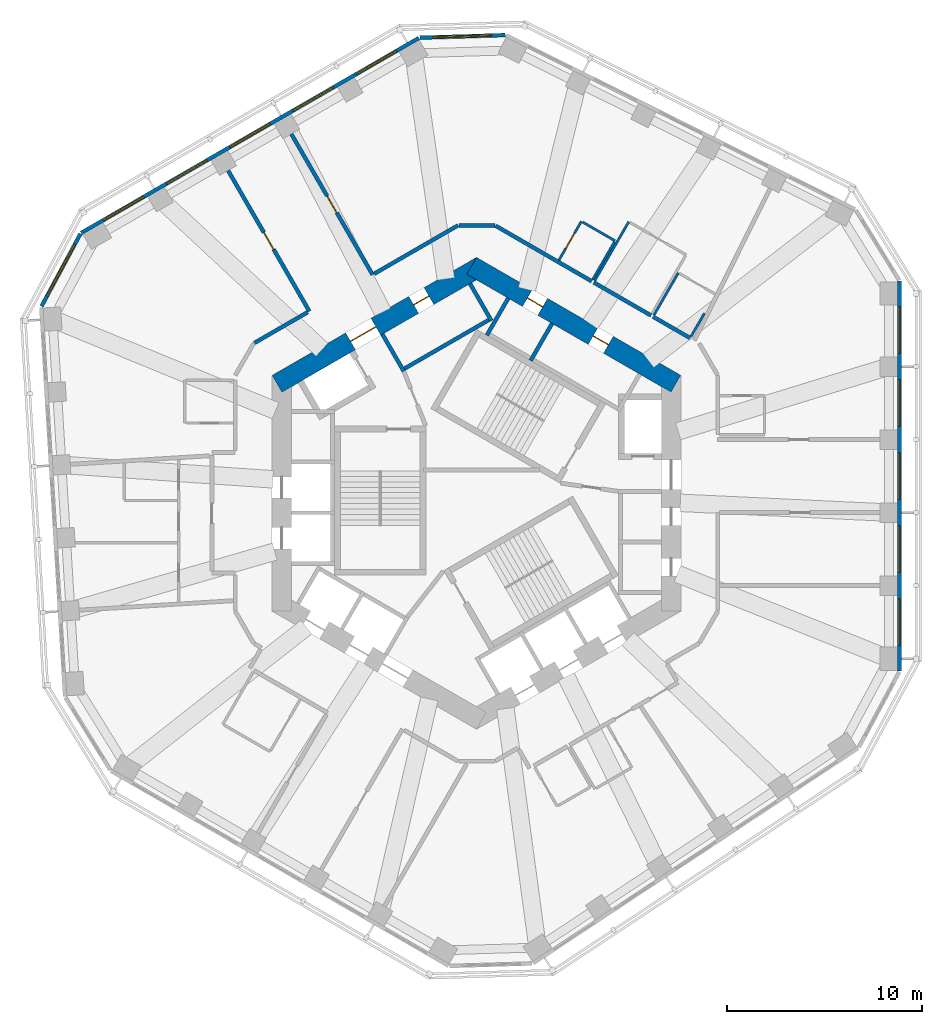
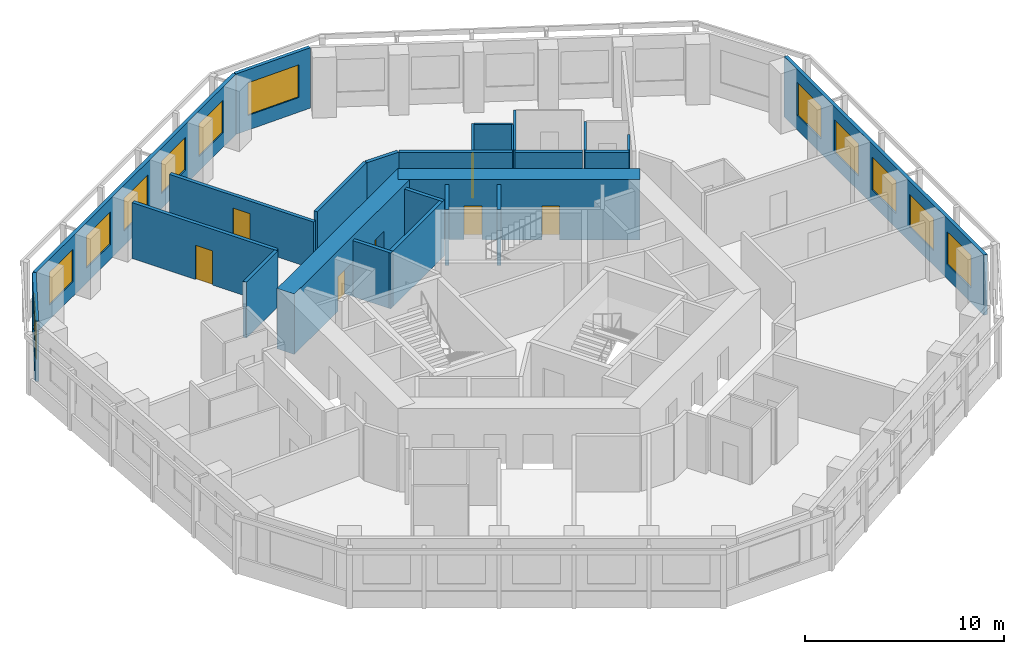
# One storey, part 7 of 11: 25 walls, 12 windows, 7 doors, 19 openings.
"""IFC4 building model written with IfcOpenShell, lengths in metres."""

from ifc_helpers import new_model, si_unit, direction, frame, frame_2d, origin, place, context, subcontext, project, spatial, rectangle, extrude, material, layer, layer_set, type_object, element, fill, save


model = new_model("IFC4")

# Units and contexts
model_context = context("Model", 3, precision=1e-05, world=origin(), true_north=direction((0.0, 1.0)))
body_context = subcontext(model_context, "Body", "Model", "MODEL_VIEW")
ifc_project = project(units=[si_unit("LENGTHUNIT", "METRE"), si_unit("AREAUNIT", "SQUARE_METRE"), si_unit("VOLUMEUNIT", "CUBIC_METRE"), si_unit("PLANEANGLEUNIT", "RADIAN"), si_unit("MASSUNIT", "GRAM", prefix="KILO")], contexts=[model_context])

# Site, building, storey
site_placement = place(None, origin())
site = spatial("IfcSite", under=ifc_project, at=site_placement, CompositionType="ELEMENT")
building_placement = place(site_placement, origin())
building = spatial("IfcBuilding", under=site, at=building_placement, Name="Vanh Sen Convention Tower", CompositionType="ELEMENT")
storey_placement = place(building_placement, frame((0.0, 0.0, 172.5)))
storey = spatial("IfcBuildingStorey", under=building, at=storey_placement, Name="L42", CompositionType="ELEMENT", Elevation=172.5)

# Wall, opening, door
ifc_material_1 = material(Name="Moisture-resistant gypsum board on steel studs", Category="steel")
ifc_layer_1 = layer(ifc_material_1, 0.1201171875)
ifc_layer_set_1 = layer_set([ifc_layer_1], Name="Moisture-resistant gypsum board on steel studs")
wall_type_1 = type_object("IfcWallType", Name="Bathroom partition 120", PredefinedType="PARTITIONING", material=ifc_layer_set_1)
wall_1_placement = place(storey_placement, frame((4.240234375, 11.985595703125, 0.0), z_axis=(0.0, 0.0, 1.0), x_axis=(0.499952165731, 0.866053019151, 0.0)))
wall_1 = element("IfcWall", 1, at=wall_1_placement, inside=storey, type_object=wall_type_1, Name="Bathroom partition 120", PredefinedType="PARTITIONING", context=body_context, shape_type="SweptSolid", body=[
    extrude(rectangle(XDim=2.300048828125, YDim=0.1201171875, at=frame_2d((1.14990234375, 0.0))), origin(), (0.0, 0.0, 1.0), 3.419921875),
])
opening_1_placement = place(wall_1_placement, frame((0.699951171875, 0.0, 0.0)))
opening_1 = element("IfcOpeningElement", 2, at=opening_1_placement, cuts=wall_1, Name="Opening D41106", PredefinedType="OPENING", context=body_context, shape_type="SweptSolid", body=[
    extrude(rectangle(XDim=0.89990234375, YDim=2.10009765625, at=frame_2d((0.449951171875, 1.050048828125))), frame((0.0, 0.070068359375, 0.0), z_axis=(0.0, -1.0, 0.0), x_axis=(1.0, 0.0, 0.0)), (0.0, 0.0, 1.0), 0.14013671875),
])
ifc_material_2 = material(Name="Laminate door in steel frame", Category="steel")
door_type_1 = type_object("IfcDoorType", Name="Room internal door 900", OperationType="SINGLE_SWING_LEFT", PredefinedType="DOOR", material=ifc_material_2)
door_1_placement = place(opening_1_placement, origin())
door_1 = element("IfcDoor", 3, at=door_1_placement, inside=storey, type_object=door_type_1, Name="Internal room door D41106", OperationType="SINGLE_SWING_LEFT", OverallHeight=2.10009765625, OverallWidth=0.89990234375, PredefinedType="DOOR", context=body_context, shape_type="SweptSolid", body=[
    extrude(rectangle(XDim=0.89990234375, YDim=2.10009765625, at=frame_2d((0.449951171875, 1.050048828125))), frame((0.0, 0.02490234375, 0.0), z_axis=(0.0, -1.0, 0.0), x_axis=(1.0, 0.0, 0.0)), (0.0, 0.0, 1.0), 0.050048828125),
])
fill(opening_1, door_1)

# Walls
wall_2_placement = place(storey_placement, frame((5.442138671875, 13.947509765625, 0.0), z_axis=(0.0, 0.0, 1.0), x_axis=(0.866043088465, -0.499969367985, 0.0)))
element("IfcWall", 4, at=wall_2_placement, inside=storey, type_object=wall_type_1, Name="Bathroom partition 120", PredefinedType="PARTITIONING", context=body_context, shape_type="SweptSolid", body=[
    extrude(rectangle(XDim=1.93994140625, YDim=0.1201171875, at=frame_2d((0.969970703125, 0.0))), origin(), (0.0, 0.0, 1.0), 3.419921875),
])
wall_3_placement = place(storey_placement, frame((6.076171875, 10.92578125, 0.0), z_axis=(0.0, 0.0, 1.0), x_axis=(0.500010275428, 0.866019471182, 0.0)))
element("IfcWall", 5, at=wall_3_placement, inside=storey, type_object=wall_type_1, Name="Bathroom partition 120", PredefinedType="PARTITIONING", context=body_context, shape_type="SweptSolid", body=[
    extrude(rectangle(XDim=3.5, YDim=0.1201171875, at=frame_2d((1.75, 0.0))), origin(), (0.0, 0.0, 1.0), 3.419921875),
])
wall_4_placement = place(storey_placement, frame((7.09228515625, 12.925537109375, 0.0), z_axis=(0.0, 0.0, 1.0), x_axis=(-0.500030632641, -0.866007717299, 0.0)))
element("IfcWall", 6, at=wall_4_placement, inside=storey, type_object=wall_type_1, Name="Bathroom partition 120", PredefinedType="PARTITIONING", context=body_context, shape_type="SweptSolid", body=[
    extrude(rectangle(XDim=2.239990234375, YDim=0.1201171875, at=frame_2d((1.1201171875, 0.0))), origin(), (0.0, 0.0, 1.0), 3.419921875),
])
wall_5_placement = place(storey_placement, frame((9.12451171875, 9.165771484375, 0.0), z_axis=(0.0, 0.0, 1.0), x_axis=(0.500004234368, 0.866022959057, 0.0)))
element("IfcWall", 7, at=wall_5_placement, inside=storey, type_object=wall_type_1, Name="Bathroom partition 120", PredefinedType="PARTITIONING", context=body_context, shape_type="SweptSolid", body=[
    extrude(rectangle(XDim=2.5, YDim=0.1201171875, at=frame_2d((1.25, 0.0))), origin(), (0.0, 0.0, 1.0), 3.419921875),
])
wall_6_placement = place(storey_placement, frame((11.7138671875, 9.25048828125, 0.0), z_axis=(0.0, 0.0, 1.0), x_axis=(-0.500015945769, -0.866016197294, 0.0)))
element("IfcWall", 8, at=wall_6_placement, inside=storey, type_object=wall_type_1, Name="Bathroom partition 120", PredefinedType="PARTITIONING", context=body_context, shape_type="SweptSolid", body=[
    extrude(rectangle(XDim=1.3681640625, YDim=0.1201171875, at=frame_2d((0.68408203125, 0.0))), origin(), (0.0, 0.0, 1.0), 3.419921875),
])

# Wall, openings, doors
ifc_material_3 = material(Name="Concrete C80/95", Category="concrete")
ifc_layer_2 = layer(ifc_material_3, 1.0)
ifc_layer_set_2 = layer_set([ifc_layer_2], Name="Concrete C80/95")
wall_type_2 = type_object("IfcWallType", Name="Core outer wall 1000 C80/95", PredefinedType="SHEAR", material=ifc_layer_set_2)
wall_7_placement = place(storey_placement, frame((10.25, 5.629150390625, 0.0), z_axis=(0.0, 0.0, 1.0), x_axis=(-0.866022616891, 0.50000482701, 0.0)))
wall_7 = element("IfcWall", 9, at=wall_7_placement, inside=storey, type_object=wall_type_2, Name="Core wall face NE L42", PredefinedType="SHEAR", context=body_context, shape_type="SweptSolid", body=[
    extrude(rectangle(XDim=12.12451171875, YDim=1.0, at=frame_2d((6.062255859375, 0.0))), origin(), (0.0, 0.0, 1.0), 3.699951171875),
])
opening_2_placement = place(wall_7_placement, frame((4.01220703125, 0.0, 0.0)))
opening_2 = element("IfcOpeningElement", 10, at=opening_2_placement, cuts=wall_7, Name="Opening D41011", PredefinedType="OPENING", context=body_context, shape_type="SweptSolid", body=[
    extrude(rectangle(XDim=0.89990234375, YDim=2.10009765625, at=frame_2d((0.449951171875, 1.050048828125))), frame((0.0, 0.510009765625, 0.0), z_axis=(0.0, -1.0, 0.0), x_axis=(1.0, 0.0, 0.0)), (0.0, 0.0, 1.0), 1.02001953125),
])
opening_3_placement = place(wall_7_placement, frame((7.912109375, 0.0, 0.0)))
opening_3 = element("IfcOpeningElement", 11, at=opening_3_placement, cuts=wall_7, Name="Opening D41012", PredefinedType="OPENING", context=body_context, shape_type="SweptSolid", body=[
    extrude(rectangle(XDim=0.89990234375, YDim=2.10009765625, at=frame_2d((0.449951171875, 1.050048828125))), frame((0.0, 0.510009765625, 0.0), z_axis=(0.0, -1.0, 0.0), x_axis=(1.0, 0.0, 0.0)), (0.0, 0.0, 1.0), 1.02001953125),
])
ifc_material_4 = material(Name="Steel S355", Category="steel")
door_type_2 = type_object("IfcDoorType", Name="Plant door 900", OperationType="SINGLE_SWING_LEFT", PredefinedType="DOOR", material=ifc_material_4)
door_2_placement = place(opening_2_placement, origin())
door_2 = element("IfcDoor", 12, at=door_2_placement, inside=storey, type_object=door_type_2, Name="Plant door D41011", OperationType="SINGLE_SWING_LEFT", OverallHeight=2.10009765625, OverallWidth=0.89990234375, PredefinedType="DOOR", context=body_context, shape_type="SweptSolid", body=[
    extrude(rectangle(XDim=0.89990234375, YDim=2.10009765625, at=frame_2d((0.449951171875, 1.050048828125))), frame((0.0, 0.02490234375, 0.0), z_axis=(0.0, -1.0, 0.0), x_axis=(1.0, 0.0, 0.0)), (0.0, 0.0, 1.0), 0.050048828125),
])
fill(opening_2, door_2)
door_3_placement = place(opening_3_placement, origin())
door_3 = element("IfcDoor", 13, at=door_3_placement, inside=storey, type_object=door_type_2, Name="Plant door D41012", OperationType="SINGLE_SWING_LEFT", OverallHeight=2.10009765625, OverallWidth=0.89990234375, PredefinedType="DOOR", context=body_context, shape_type="SweptSolid", body=[
    extrude(rectangle(XDim=0.89990234375, YDim=2.10009765625, at=frame_2d((0.449951171875, 1.050048828125))), frame((0.0, 0.02490234375, 0.0), z_axis=(0.0, -1.0, 0.0), x_axis=(1.0, 0.0, 0.0)), (0.0, 0.0, 1.0), 0.050048828125),
])
fill(opening_3, door_3)

wall_8_placement = place(storey_placement, frame((0.25, 11.69140625, 0.0), z_axis=(0.0, 0.0, 1.0), x_axis=(-0.866022616891, -0.50000482701, 0.0)))
wall_8 = element("IfcWall", 14, at=wall_8_placement, inside=storey, type_object=wall_type_2, Name="Core wall face NW L42", PredefinedType="SHEAR", context=body_context, shape_type="SweptSolid", body=[
    extrude(rectangle(XDim=12.12451171875, YDim=1.0, at=frame_2d((6.062255859375, 0.0))), origin(), (0.0, 0.0, 1.0), 3.699951171875),
])
opening_4_placement = place(wall_8_placement, frame((6.26220703125, 0.0, 0.0)))
opening_4 = element("IfcOpeningElement", 15, at=opening_4_placement, cuts=wall_8, Name="Opening D41002", PredefinedType="OPENING", context=body_context, shape_type="SweptSolid", body=[
    extrude(rectangle(XDim=1.5, YDim=2.10009765625, at=frame_2d((0.75, 1.050048828125))), frame((0.0, 0.510009765625, 0.0), z_axis=(0.0, -1.0, 0.0), x_axis=(1.0, 0.0, 0.0)), (0.0, 0.0, 1.0), 1.02001953125),
])
opening_5_placement = place(wall_8_placement, frame((3.1123046875, 0.0, 0.0)))
opening_5 = element("IfcOpeningElement", 16, at=opening_5_placement, cuts=wall_8, Name="Opening D41013", PredefinedType="OPENING", context=body_context, shape_type="SweptSolid", body=[
    extrude(rectangle(XDim=0.89990234375, YDim=2.10009765625, at=frame_2d((0.449951171875, 1.050048828125))), frame((0.0, 0.510009765625, 0.0), z_axis=(0.0, -1.0, 0.0), x_axis=(1.0, 0.0, 0.0)), (0.0, 0.0, 1.0), 1.02001953125),
])
door_4_placement = place(opening_5_placement, origin())
door_4 = element("IfcDoor", 17, at=door_4_placement, inside=storey, type_object=door_type_2, Name="Plant door D41013", OperationType="SINGLE_SWING_LEFT", OverallHeight=2.10009765625, OverallWidth=0.89990234375, PredefinedType="DOOR", context=body_context, shape_type="SweptSolid", body=[
    extrude(rectangle(XDim=0.89990234375, YDim=2.10009765625, at=frame_2d((0.449951171875, 1.050048828125))), frame((0.0, 0.02490234375, 0.0), z_axis=(0.0, -1.0, 0.0), x_axis=(1.0, 0.0, 0.0)), (0.0, 0.0, 1.0), 0.050048828125),
])
fill(opening_5, door_4)
door_type_3 = type_object("IfcDoorType", Name="Stair lobby door 1500", OperationType="DOUBLE_DOOR_SINGLE_SWING", PredefinedType="DOOR", material=ifc_material_4)
door_5_placement = place(opening_4_placement, origin())
door_5 = element("IfcDoor", 18, at=door_5_placement, inside=storey, type_object=door_type_3, Name="Stair lobby door D41002", OperationType="DOUBLE_DOOR_SINGLE_SWING", OverallHeight=2.10009765625, OverallWidth=1.5, PredefinedType="DOOR", context=body_context, shape_type="SweptSolid", body=[
    extrude(rectangle(XDim=1.5, YDim=2.10009765625, at=frame_2d((0.75, 1.050048828125))), frame((0.0, 0.02490234375, 0.0), z_axis=(0.0, -1.0, 0.0), x_axis=(1.0, 0.0, 0.0)), (0.0, 0.0, 1.0), 0.050048828125),
])
fill(opening_4, door_5)

# Wall, opening, door
ifc_material_5 = material(Name="Gypsum board on steel studs with mineral wool", Category="steel")
ifc_layer_3 = layer(ifc_material_5, 0.199951171875)
ifc_layer_set_3 = layer_set([ifc_layer_3], Name="Gypsum board on steel studs with mineral wool")
wall_type_3 = type_object("IfcWallType", Name="Corridor partition wall 200", PredefinedType="PARTITIONING", material=ifc_layer_set_3)
wall_9_placement = place(storey_placement, frame((-12.766357421875, 16.58935546875, 0.0), z_axis=(0.0, 0.0, 1.0), x_axis=(0.500010139422, -0.866019549707, 0.0)))
wall_9 = element("IfcWall", 19, at=wall_9_placement, inside=storey, type_object=wall_type_3, Name="Corridor partition wall 200", PredefinedType="PARTITIONING", context=body_context, shape_type="SweptSolid", body=[
    extrude(rectangle(XDim=8.349853515625, YDim=0.199951171875, at=frame_2d((4.1748046875, 0.0))), origin(), (0.0, 0.0, 1.0), 3.419921875),
])
opening_6_placement = place(wall_9_placement, frame((3.675048828125, 0.0, 0.0)))
opening_6 = element("IfcOpeningElement", 20, at=opening_6_placement, cuts=wall_9, Name="Opening D41107", PredefinedType="OPENING", context=body_context, shape_type="SweptSolid", body=[
    extrude(rectangle(XDim=1.0, YDim=2.10009765625, at=frame_2d((0.5, 1.050048828125))), frame((0.0, 0.10986328125, 0.0), z_axis=(0.0, -1.0, 0.0), x_axis=(1.0, 0.0, 0.0)), (0.0, 0.0, 1.0), 0.219970703125),
])
ifc_material_6 = material(Name="Glazed fire door in steel frame", Category="steel")
door_type_4 = type_object("IfcDoorType", Name="Tenant entrance door 1000", OperationType="SINGLE_SWING_LEFT", PredefinedType="DOOR", material=ifc_material_6)
door_6_placement = place(opening_6_placement, origin())
door_6 = element("IfcDoor", 21, at=door_6_placement, inside=storey, type_object=door_type_4, Name="Tenant suite entrance door D41107", OperationType="SINGLE_SWING_LEFT", OverallHeight=2.10009765625, OverallWidth=1.0, PredefinedType="DOOR", context=body_context, shape_type="SweptSolid", body=[
    extrude(rectangle(XDim=1.0, YDim=2.10009765625, at=frame_2d((0.5, 1.050048828125))), frame((0.0, 0.02490234375, 0.0), z_axis=(0.0, -1.0, 0.0), x_axis=(1.0, 0.0, 0.0)), (0.0, 0.0, 1.0), 0.050048828125),
])
fill(opening_6, door_6)

wall_10_placement = place(storey_placement, frame((-9.51513671875, 18.46630859375, 0.0), z_axis=(0.0, 0.0, 1.0), x_axis=(0.500010139422, -0.866019549707, 0.0)))
wall_10 = element("IfcWall", 22, at=wall_10_placement, inside=storey, type_object=wall_type_3, Name="Corridor partition wall 200", PredefinedType="PARTITIONING", context=body_context, shape_type="SweptSolid", body=[
    extrude(rectangle(XDim=8.349853515625, YDim=0.199951171875, at=frame_2d((4.1748046875, 0.0))), origin(), (0.0, 0.0, 1.0), 2.8701171875),
])
opening_7_placement = place(wall_10_placement, frame((3.675048828125, 0.0, 0.0)))
opening_7 = element("IfcOpeningElement", 23, at=opening_7_placement, cuts=wall_10, Name="Opening D41103", PredefinedType="OPENING", context=body_context, shape_type="SweptSolid", body=[
    extrude(rectangle(XDim=1.0, YDim=2.10009765625, at=frame_2d((0.5, 1.050048828125))), frame((0.0, 0.10986328125, 0.0), z_axis=(0.0, -1.0, 0.0), x_axis=(1.0, 0.0, 0.0)), (0.0, 0.0, 1.0), 0.219970703125),
])
door_7_placement = place(opening_7_placement, origin())
door_7 = element("IfcDoor", 24, at=door_7_placement, inside=storey, type_object=door_type_4, Name="Tenant suite entrance door D41103", OperationType="SINGLE_SWING_LEFT", OverallHeight=2.10009765625, OverallWidth=1.0, PredefinedType="DOOR", context=body_context, shape_type="SweptSolid", body=[
    extrude(rectangle(XDim=1.0, YDim=2.10009765625, at=frame_2d((0.5, 1.050048828125))), frame((0.0, 0.02490234375, 0.0), z_axis=(0.0, -1.0, 0.0), x_axis=(1.0, 0.0, 0.0)), (0.0, 0.0, 1.0), 0.050048828125),
])
fill(opening_7, door_7)

# Walls
wall_11_placement = place(storey_placement, frame((-8.677978515625, 9.30810546875, 0.0), z_axis=(0.0, 0.0, 1.0), x_axis=(-0.866000359435, -0.500043375578, 0.0)))
element("IfcWall", 25, at=wall_11_placement, inside=storey, type_object=wall_type_3, Name="Corridor partition wall 200", PredefinedType="PARTITIONING", context=body_context, shape_type="SweptSolid", body=[
    extrude(rectangle(XDim=3.160888671875, YDim=0.199951171875, at=frame_2d((1.58056640625, 0.0))), origin(), (0.0, 0.0, 1.0), 3.419921875),
])
wall_12_placement = place(storey_placement, frame((-0.949951171875, 13.769775390625, 0.0), z_axis=(0.0, 0.0, 1.0), x_axis=(-0.866036689987, -0.499980451214, 0.0)))
element("IfcWall", 26, at=wall_12_placement, inside=storey, type_object=wall_type_3, Name="Corridor partition wall 200", PredefinedType="PARTITIONING", context=body_context, shape_type="SweptSolid", body=[
    extrude(rectangle(XDim=4.969482421875, YDim=0.199951171875, at=frame_2d((2.48486328125, 0.0))), origin(), (0.0, 0.0, 1.0), 3.419921875),
])
wall_13_placement = place(storey_placement, frame((0.949951171875, 13.769775390625, 0.0), z_axis=(0.0, 0.0, 1.0), x_axis=(-1.0, 0.0, 0.0)))
element("IfcWall", 27, at=wall_13_placement, inside=storey, type_object=wall_type_3, Name="Corridor partition wall 200", PredefinedType="PARTITIONING", context=body_context, shape_type="SweptSolid", body=[
    extrude(rectangle(XDim=1.85986328125, YDim=0.199951171875, at=frame_2d((0.929931640625, 0.0))), origin(), (0.0, 0.0, 1.0), 3.419921875),
])
wall_14_placement = place(storey_placement, frame((5.922119140625, 10.899169921875, 0.0), z_axis=(0.0, 0.0, 1.0), x_axis=(-0.866031556924, 0.499989342298, 0.0)))
element("IfcWall", 28, at=wall_14_placement, inside=storey, type_object=wall_type_3, Name="Corridor partition wall 200", PredefinedType="PARTITIONING", context=body_context, shape_type="SweptSolid", body=[
    extrude(rectangle(XDim=5.701171875, YDim=0.199951171875, at=frame_2d((2.8505859375, 0.0))), origin(), (0.0, 0.0, 1.0), 3.419921875),
])
wall_15_placement = place(storey_placement, frame((8.970703125, 9.13916015625, 0.0), z_axis=(0.0, 0.0, 1.0), x_axis=(-0.866038511948, 0.499977295307, 0.0)))
element("IfcWall", 29, at=wall_15_placement, inside=storey, type_object=wall_type_3, Name="Corridor partition wall 200", PredefinedType="PARTITIONING", context=body_context, shape_type="SweptSolid", body=[
    extrude(rectangle(XDim=3.400146484375, YDim=0.199951171875, at=frame_2d((1.7001953125, 0.0))), origin(), (0.0, 0.0, 1.0), 3.419921875),
])
wall_16_placement = place(storey_placement, frame((10.979736328125, 7.97900390625, 0.0), z_axis=(0.0, 0.0, 1.0), x_axis=(-0.866008176907, 0.50002983664, 0.0)))
element("IfcWall", 30, at=wall_16_placement, inside=storey, type_object=wall_type_3, Name="Corridor partition wall 200", PredefinedType="PARTITIONING", context=body_context, shape_type="SweptSolid", body=[
    extrude(rectangle(XDim=2.199951171875, YDim=0.199951171875, at=frame_2d((1.10009765625, 0.0))), origin(), (0.0, 0.0, 1.0), 3.419921875),
])

# Wall, openings, windows
ifc_material_7 = material(Name="Insulated lightweight infill wall")
ifc_layer_4 = layer(ifc_material_7, 0.199951171875)
ifc_layer_set_4 = layer_set([ifc_layer_4], Name="Insulated lightweight infill wall")
wall_type_4 = type_object("IfcWallType", Name="External wall 200", PredefinedType="STANDARD", material=ifc_layer_set_4)
wall_17_placement = place(storey_placement, frame((21.75, -9.138427734375, 0.0), z_axis=(0.0, 0.0, 1.0), x_axis=(0.0, 1.0, 0.0)))
wall_17 = element("IfcWall", 31, at=wall_17_placement, inside=storey, type_object=wall_type_4, Name="External wall E L42", PredefinedType="STANDARD", context=body_context, shape_type="SweptSolid", body=[
    extrude(rectangle(XDim=20.043701171875, YDim=0.199951171875, at=frame_2d((10.02197265625, 0.0))), origin(), (0.0, 0.0, 1.0), 3.699951171875),
])
opening_8_placement = place(wall_17_placement, frame((1.314453125, 0.0, 0.89990234375)))
opening_8 = element("IfcOpeningElement", 32, at=opening_8_placement, cuts=wall_17, Name="Opening WO1-E1", PredefinedType="OPENING", context=body_context, shape_type="SweptSolid", body=[
    extrude(rectangle(XDim=2.39990234375, YDim=2.0, at=frame_2d((1.199951171875, 1.0))), frame((0.0, 0.10986328125, 0.0), z_axis=(0.0, -1.0, 0.0), x_axis=(1.0, 0.0, 0.0)), (0.0, 0.0, 1.0), 0.219970703125),
])
opening_9_placement = place(wall_17_placement, frame((5.068603515625, 0.0, 0.89990234375)))
opening_9 = element("IfcOpeningElement", 33, at=opening_9_placement, cuts=wall_17, Name="Opening WO1-E2", PredefinedType="OPENING", context=body_context, shape_type="SweptSolid", body=[
    extrude(rectangle(XDim=2.39990234375, YDim=2.0, at=frame_2d((1.199951171875, 1.0))), frame((0.0, 0.10986328125, 0.0), z_axis=(0.0, -1.0, 0.0), x_axis=(1.0, 0.0, 0.0)), (0.0, 0.0, 1.0), 0.219970703125),
])
opening_10_placement = place(wall_17_placement, frame((8.82275390625, 0.0, 0.89990234375)))
opening_10 = element("IfcOpeningElement", 34, at=opening_10_placement, cuts=wall_17, Name="Opening WO1-E3", PredefinedType="OPENING", context=body_context, shape_type="SweptSolid", body=[
    extrude(rectangle(XDim=2.39990234375, YDim=2.0, at=frame_2d((1.199951171875, 1.0))), frame((0.0, 0.10986328125, 0.0), z_axis=(0.0, -1.0, 0.0), x_axis=(1.0, 0.0, 0.0)), (0.0, 0.0, 1.0), 0.219970703125),
])
opening_11_placement = place(wall_17_placement, frame((12.576904296875, 0.0, 0.89990234375)))
opening_11 = element("IfcOpeningElement", 35, at=opening_11_placement, cuts=wall_17, Name="Opening WO1-E4", PredefinedType="OPENING", context=body_context, shape_type="SweptSolid", body=[
    extrude(rectangle(XDim=2.39990234375, YDim=2.0, at=frame_2d((1.199951171875, 1.0))), frame((0.0, 0.10986328125, 0.0), z_axis=(0.0, -1.0, 0.0), x_axis=(1.0, 0.0, 0.0)), (0.0, 0.0, 1.0), 0.219970703125),
])
opening_12_placement = place(wall_17_placement, frame((16.330810546875, 0.0, 0.89990234375)))
opening_12 = element("IfcOpeningElement", 36, at=opening_12_placement, cuts=wall_17, Name="Opening WO1-E5", PredefinedType="OPENING", context=body_context, shape_type="SweptSolid", body=[
    extrude(rectangle(XDim=2.39990234375, YDim=2.0, at=frame_2d((1.199951171875, 1.0))), frame((0.0, 0.10986328125, 0.0), z_axis=(0.0, -1.0, 0.0), x_axis=(1.0, 0.0, 0.0)), (0.0, 0.0, 1.0), 0.219970703125),
])
ifc_material_8 = material(Name="Aluminium frame with clear low-emissivity glass", Category="aluminium")
window_type_1 = type_object("IfcWindowType", Name="Office window 2400 x 2000", PartitioningType="SINGLE_PANEL", PredefinedType="WINDOW", material=ifc_material_8)
window_1_placement = place(opening_8_placement, origin())
window_1 = element("IfcWindow", 37, at=window_1_placement, inside=storey, type_object=window_type_1, Name="Window WO1-E1", OverallHeight=2.0, OverallWidth=2.39990234375, PartitioningType="SINGLE_PANEL", PredefinedType="WINDOW", context=body_context, shape_type="SweptSolid", body=[
    extrude(rectangle(XDim=2.39990234375, YDim=2.0, at=frame_2d((1.199951171875, 1.0))), frame((0.0, 0.030029296875, 0.0), z_axis=(0.0, -1.0, 0.0), x_axis=(1.0, 0.0, 0.0)), (0.0, 0.0, 1.0), 0.06005859375),
])
fill(opening_8, window_1)
window_2_placement = place(opening_9_placement, origin())
window_2 = element("IfcWindow", 38, at=window_2_placement, inside=storey, type_object=window_type_1, Name="Window WO1-E2", OverallHeight=2.0, OverallWidth=2.39990234375, PartitioningType="SINGLE_PANEL", PredefinedType="WINDOW", context=body_context, shape_type="SweptSolid", body=[
    extrude(rectangle(XDim=2.39990234375, YDim=2.0, at=frame_2d((1.199951171875, 1.0))), frame((0.0, 0.030029296875, 0.0), z_axis=(0.0, -1.0, 0.0), x_axis=(1.0, 0.0, 0.0)), (0.0, 0.0, 1.0), 0.06005859375),
])
fill(opening_9, window_2)
window_3_placement = place(opening_10_placement, origin())
window_3 = element("IfcWindow", 39, at=window_3_placement, inside=storey, type_object=window_type_1, Name="Window WO1-E3", OverallHeight=2.0, OverallWidth=2.39990234375, PartitioningType="SINGLE_PANEL", PredefinedType="WINDOW", context=body_context, shape_type="SweptSolid", body=[
    extrude(rectangle(XDim=2.39990234375, YDim=2.0, at=frame_2d((1.199951171875, 1.0))), frame((0.0, 0.030029296875, 0.0), z_axis=(0.0, -1.0, 0.0), x_axis=(1.0, 0.0, 0.0)), (0.0, 0.0, 1.0), 0.06005859375),
])
fill(opening_10, window_3)
window_4_placement = place(opening_11_placement, origin())
window_4 = element("IfcWindow", 40, at=window_4_placement, inside=storey, type_object=window_type_1, Name="Window WO1-E4", OverallHeight=2.0, OverallWidth=2.39990234375, PartitioningType="SINGLE_PANEL", PredefinedType="WINDOW", context=body_context, shape_type="SweptSolid", body=[
    extrude(rectangle(XDim=2.39990234375, YDim=2.0, at=frame_2d((1.199951171875, 1.0))), frame((0.0, 0.030029296875, 0.0), z_axis=(0.0, -1.0, 0.0), x_axis=(1.0, 0.0, 0.0)), (0.0, 0.0, 1.0), 0.06005859375),
])
fill(opening_11, window_4)
window_5_placement = place(opening_12_placement, origin())
window_5 = element("IfcWindow", 41, at=window_5_placement, inside=storey, type_object=window_type_1, Name="Window WO1-E5", OverallHeight=2.0, OverallWidth=2.39990234375, PartitioningType="SINGLE_PANEL", PredefinedType="WINDOW", context=body_context, shape_type="SweptSolid", body=[
    extrude(rectangle(XDim=2.39990234375, YDim=2.0, at=frame_2d((1.199951171875, 1.0))), frame((0.0, 0.030029296875, 0.0), z_axis=(0.0, -1.0, 0.0), x_axis=(1.0, 0.0, 0.0)), (0.0, 0.0, 1.0), 0.06005859375),
])
fill(opening_12, window_5)

# Wall, opening, window
wall_18_placement = place(storey_placement, frame((1.478759765625, 23.552734375, 0.0), z_axis=(0.0, 0.0, 1.0), x_axis=(-0.999534786117, -0.03049936625, 0.0)))
wall_18 = element("IfcWall", 42, at=wall_18_placement, inside=storey, type_object=wall_type_4, Name="External wall CH2 L42", PredefinedType="STANDARD", context=body_context, shape_type="SweptSolid", body=[
    extrude(rectangle(XDim=4.39453125, YDim=0.199951171875, at=frame_2d((2.197265625, 0.0))), origin(), (0.0, 0.0, 1.0), 3.699951171875),
])
opening_13_placement = place(wall_18_placement, frame((0.697509765625, 0.0, 0.89990234375)))
opening_13 = element("IfcOpeningElement", 43, at=opening_13_placement, cuts=wall_18, Name="Opening WO2-CH21", PredefinedType="OPENING", context=body_context, shape_type="SweptSolid", body=[
    extrude(rectangle(XDim=3.0, YDim=2.0, at=frame_2d((1.5, 1.0))), frame((0.0, 0.10986328125, 0.0), z_axis=(0.0, -1.0, 0.0), x_axis=(1.0, 0.0, 0.0)), (0.0, 0.0, 1.0), 0.219970703125),
])
window_type_2 = type_object("IfcWindowType", Name="Office window 3000 x 2000", PartitioningType="SINGLE_PANEL", PredefinedType="WINDOW", material=ifc_material_8)
window_6_placement = place(opening_13_placement, origin())
window_6 = element("IfcWindow", 44, at=window_6_placement, inside=storey, type_object=window_type_2, Name="Window WO2-CH21", OverallHeight=2.0, OverallWidth=3.0, PartitioningType="SINGLE_PANEL", PredefinedType="WINDOW", context=body_context, shape_type="SweptSolid", body=[
    extrude(rectangle(XDim=3.0, YDim=2.0, at=frame_2d((1.5, 1.0))), frame((0.0, 0.030029296875, 0.0), z_axis=(0.0, -1.0, 0.0), x_axis=(1.0, 0.0, 0.0)), (0.0, 0.0, 1.0), 0.06005859375),
])
fill(opening_13, window_6)

# Wall, openings, windows
wall_19_placement = place(storey_placement, frame((-2.9609375, 23.4052734375, 0.0), z_axis=(0.0, 0.0, 1.0), x_axis=(-0.866023315909, -0.500003616288, 0.0)))
wall_19 = element("IfcWall", 45, at=wall_19_placement, inside=storey, type_object=wall_type_4, Name="External wall NW L42", PredefinedType="STANDARD", context=body_context, shape_type="SweptSolid", body=[
    extrude(rectangle(XDim=20.043701171875, YDim=0.199951171875, at=frame_2d((10.02197265625, 0.0))), origin(), (0.0, 0.0, 1.0), 3.699951171875),
])
opening_14_placement = place(wall_19_placement, frame((1.314453125, 0.0, 0.89990234375)))
opening_14 = element("IfcOpeningElement", 46, at=opening_14_placement, cuts=wall_19, Name="Opening WO1-NW1", PredefinedType="OPENING", context=body_context, shape_type="SweptSolid", body=[
    extrude(rectangle(XDim=2.39990234375, YDim=2.0, at=frame_2d((1.199951171875, 1.0))), frame((0.0, 0.10986328125, 0.0), z_axis=(0.0, -1.0, 0.0), x_axis=(1.0, 0.0, 0.0)), (0.0, 0.0, 1.0), 0.219970703125),
])
opening_15_placement = place(wall_19_placement, frame((5.068603515625, 0.0, 0.89990234375)))
opening_15 = element("IfcOpeningElement", 47, at=opening_15_placement, cuts=wall_19, Name="Opening WO1-NW2", PredefinedType="OPENING", context=body_context, shape_type="SweptSolid", body=[
    extrude(rectangle(XDim=2.39990234375, YDim=2.0, at=frame_2d((1.199951171875, 1.0))), frame((0.0, 0.10986328125, 0.0), z_axis=(0.0, -1.0, 0.0), x_axis=(1.0, 0.0, 0.0)), (0.0, 0.0, 1.0), 0.219970703125),
])
opening_16_placement = place(wall_19_placement, frame((8.82275390625, 0.0, 0.89990234375)))
opening_16 = element("IfcOpeningElement", 48, at=opening_16_placement, cuts=wall_19, Name="Opening WO1-NW3", PredefinedType="OPENING", context=body_context, shape_type="SweptSolid", body=[
    extrude(rectangle(XDim=2.39990234375, YDim=2.0, at=frame_2d((1.199951171875, 1.0))), frame((0.0, 0.10986328125, 0.0), z_axis=(0.0, -1.0, 0.0), x_axis=(1.0, 0.0, 0.0)), (0.0, 0.0, 1.0), 0.219970703125),
])
opening_17_placement = place(wall_19_placement, frame((12.576904296875, 0.0, 0.89990234375)))
opening_17 = element("IfcOpeningElement", 49, at=opening_17_placement, cuts=wall_19, Name="Opening WO1-NW4", PredefinedType="OPENING", context=body_context, shape_type="SweptSolid", body=[
    extrude(rectangle(XDim=2.39990234375, YDim=2.0, at=frame_2d((1.199951171875, 1.0))), frame((0.0, 0.10986328125, 0.0), z_axis=(0.0, -1.0, 0.0), x_axis=(1.0, 0.0, 0.0)), (0.0, 0.0, 1.0), 0.219970703125),
])
opening_18_placement = place(wall_19_placement, frame((16.330810546875, 0.0, 0.89990234375)))
opening_18 = element("IfcOpeningElement", 50, at=opening_18_placement, cuts=wall_19, Name="Opening WO1-NW5", PredefinedType="OPENING", context=body_context, shape_type="SweptSolid", body=[
    extrude(rectangle(XDim=2.39990234375, YDim=2.0, at=frame_2d((1.199951171875, 1.0))), frame((0.0, 0.10986328125, 0.0), z_axis=(0.0, -1.0, 0.0), x_axis=(1.0, 0.0, 0.0)), (0.0, 0.0, 1.0), 0.219970703125),
])
window_7_placement = place(opening_14_placement, origin())
window_7 = element("IfcWindow", 51, at=window_7_placement, inside=storey, type_object=window_type_1, Name="Window WO1-NW1", OverallHeight=2.0, OverallWidth=2.39990234375, PartitioningType="SINGLE_PANEL", PredefinedType="WINDOW", context=body_context, shape_type="SweptSolid", body=[
    extrude(rectangle(XDim=2.39990234375, YDim=2.0, at=frame_2d((1.199951171875, 1.0))), frame((0.0, 0.030029296875, 0.0), z_axis=(0.0, -1.0, 0.0), x_axis=(1.0, 0.0, 0.0)), (0.0, 0.0, 1.0), 0.06005859375),
])
fill(opening_14, window_7)
window_8_placement = place(opening_15_placement, origin())
window_8 = element("IfcWindow", 52, at=window_8_placement, inside=storey, type_object=window_type_1, Name="Window WO1-NW2", OverallHeight=2.0, OverallWidth=2.39990234375, PartitioningType="SINGLE_PANEL", PredefinedType="WINDOW", context=body_context, shape_type="SweptSolid", body=[
    extrude(rectangle(XDim=2.39990234375, YDim=2.0, at=frame_2d((1.199951171875, 1.0))), frame((0.0, 0.030029296875, 0.0), z_axis=(0.0, -1.0, 0.0), x_axis=(1.0, 0.0, 0.0)), (0.0, 0.0, 1.0), 0.06005859375),
])
fill(opening_15, window_8)
window_9_placement = place(opening_16_placement, origin())
window_9 = element("IfcWindow", 53, at=window_9_placement, inside=storey, type_object=window_type_1, Name="Window WO1-NW3", OverallHeight=2.0, OverallWidth=2.39990234375, PartitioningType="SINGLE_PANEL", PredefinedType="WINDOW", context=body_context, shape_type="SweptSolid", body=[
    extrude(rectangle(XDim=2.39990234375, YDim=2.0, at=frame_2d((1.199951171875, 1.0))), frame((0.0, 0.030029296875, 0.0), z_axis=(0.0, -1.0, 0.0), x_axis=(1.0, 0.0, 0.0)), (0.0, 0.0, 1.0), 0.06005859375),
])
fill(opening_16, window_9)
window_10_placement = place(opening_17_placement, origin())
window_10 = element("IfcWindow", 54, at=window_10_placement, inside=storey, type_object=window_type_1, Name="Window WO1-NW4", OverallHeight=2.0, OverallWidth=2.39990234375, PartitioningType="SINGLE_PANEL", PredefinedType="WINDOW", context=body_context, shape_type="SweptSolid", body=[
    extrude(rectangle(XDim=2.39990234375, YDim=2.0, at=frame_2d((1.199951171875, 1.0))), frame((0.0, 0.030029296875, 0.0), z_axis=(0.0, -1.0, 0.0), x_axis=(1.0, 0.0, 0.0)), (0.0, 0.0, 1.0), 0.06005859375),
])
fill(opening_17, window_10)
window_11_placement = place(opening_18_placement, origin())
window_11 = element("IfcWindow", 55, at=window_11_placement, inside=storey, type_object=window_type_1, Name="Window WO1-NW5", OverallHeight=2.0, OverallWidth=2.39990234375, PartitioningType="SINGLE_PANEL", PredefinedType="WINDOW", context=body_context, shape_type="SweptSolid", body=[
    extrude(rectangle(XDim=2.39990234375, YDim=2.0, at=frame_2d((1.199951171875, 1.0))), frame((0.0, 0.030029296875, 0.0), z_axis=(0.0, -1.0, 0.0), x_axis=(1.0, 0.0, 0.0)), (0.0, 0.0, 1.0), 0.06005859375),
])
fill(opening_18, window_11)

# Wall, opening, window
wall_20_placement = place(storey_placement, frame((-20.357421875, 13.343994140625, 0.0), z_axis=(0.0, 0.0, 1.0), x_axis=(-0.473288913494, -0.880907262068, 0.0)))
wall_20 = element("IfcWall", 56, at=wall_20_placement, inside=storey, type_object=wall_type_4, Name="External wall CH3 L42", PredefinedType="STANDARD", context=body_context, shape_type="SweptSolid", body=[
    extrude(rectangle(XDim=4.238037109375, YDim=0.199951171875, at=frame_2d((2.119140625, 0.0))), origin(), (0.0, 0.0, 1.0), 3.699951171875),
])
opening_19_placement = place(wall_20_placement, frame((0.619140625, 0.0, 0.89990234375)))
opening_19 = element("IfcOpeningElement", 57, at=opening_19_placement, cuts=wall_20, Name="Opening WO2-CH31", PredefinedType="OPENING", context=body_context, shape_type="SweptSolid", body=[
    extrude(rectangle(XDim=3.0, YDim=2.0, at=frame_2d((1.5, 1.0))), frame((0.0, 0.10986328125, 0.0), z_axis=(0.0, -1.0, 0.0), x_axis=(1.0, 0.0, 0.0)), (0.0, 0.0, 1.0), 0.219970703125),
])
window_12_placement = place(opening_19_placement, origin())
window_12 = element("IfcWindow", 58, at=window_12_placement, inside=storey, type_object=window_type_2, Name="Window WO2-CH31", OverallHeight=2.0, OverallWidth=3.0, PartitioningType="SINGLE_PANEL", PredefinedType="WINDOW", context=body_context, shape_type="SweptSolid", body=[
    extrude(rectangle(XDim=3.0, YDim=2.0, at=frame_2d((1.5, 1.0))), frame((0.0, 0.030029296875, 0.0), z_axis=(0.0, -1.0, 0.0), x_axis=(1.0, 0.0, 0.0)), (0.0, 0.0, 1.0), 0.06005859375),
])
fill(opening_19, window_12)

# Walls
ifc_material_9 = material(Name="Concrete C40/50", Category="concrete")
ifc_layer_5 = layer(ifc_material_9, 0.199951171875)
ifc_layer_set_5 = layer_set([ifc_layer_5], Name="Concrete C40/50")
wall_type_5 = type_object("IfcWallType", Name="Lift shaft wall 200", PredefinedType="PARTITIONING", material=ifc_layer_set_5)
for number, where, z_axis, x_axis, name in (
    (59, (2.783935546875, 6.822021484375, 0.0), (0.0, 0.0, 1.0), (0.50002983664, 0.866008176907, 0.0), "Lift shaft wall L42"),
    (60, (0.5322265625, 8.1220703125, 0.0), (0.0, 0.0, 1.0), (0.500077893725, 0.86598042715, 0.0), "Lift shaft wall L42"),
):
    element("IfcWall", number, at=place(storey_placement, frame(where, z_axis=z_axis, x_axis=x_axis)), inside=storey, type_object=wall_type_5, Name=name, PredefinedType="PARTITIONING", context=body_context, shape_type="SweptSolid", body=[
        extrude(rectangle(XDim=2.199951171875, YDim=0.199951171875, at=frame_2d((1.10009765625, 0.0))), origin(), (0.0, 0.0, 1.0), 3.419921875),
    ])
wall_21_placement = place(storey_placement, frame((0.80322265625, 9.008544921875, 0.0), z_axis=(0.0, 0.0, 1.0), x_axis=(-0.866028230842, -0.499995103361, 0.0)))
element("IfcWall", 61, at=wall_21_placement, inside=storey, type_object=wall_type_5, Name="Lift shaft wall L42", PredefinedType="PARTITIONING", context=body_context, shape_type="SweptSolid", body=[
    extrude(rectangle(XDim=5.39990234375, YDim=0.199951171875, at=frame_2d((2.699951171875, 0.0))), origin(), (0.0, 0.0, 1.0), 3.419921875),
])
wall_22_placement = place(storey_placement, frame((0.7666015625, 8.8720703125, 0.0), z_axis=(0.0, 0.0, 1.0), x_axis=(-0.499994660107, 0.866028486751, 0.0)))
element("IfcWall", 62, at=wall_22_placement, inside=storey, type_object=wall_type_5, Name="Lift shaft wall L42", PredefinedType="PARTITIONING", context=body_context, shape_type="SweptSolid", body=[
    extrude(rectangle(XDim=2.19970703125, YDim=0.199951171875, at=frame_2d((1.099853515625, 0.0))), origin(), (0.0, 0.0, 1.0), 3.419921875),
])
wall_23_placement = place(storey_placement, frame((-3.736572265625, 6.27197265625, 0.0), z_axis=(0.0, 0.0, 1.0), x_axis=(-0.50002983664, 0.866008176907, 0.0)))
element("IfcWall", 63, at=wall_23_placement, inside=storey, type_object=wall_type_5, Name="Lift shaft wall L42", PredefinedType="PARTITIONING", context=body_context, shape_type="SweptSolid", body=[
    extrude(rectangle(XDim=2.199951171875, YDim=0.199951171875, at=frame_2d((1.10009765625, 0.0))), origin(), (0.0, 0.0, 1.0), 3.419921875),
])

save(model, "model.ifc")
